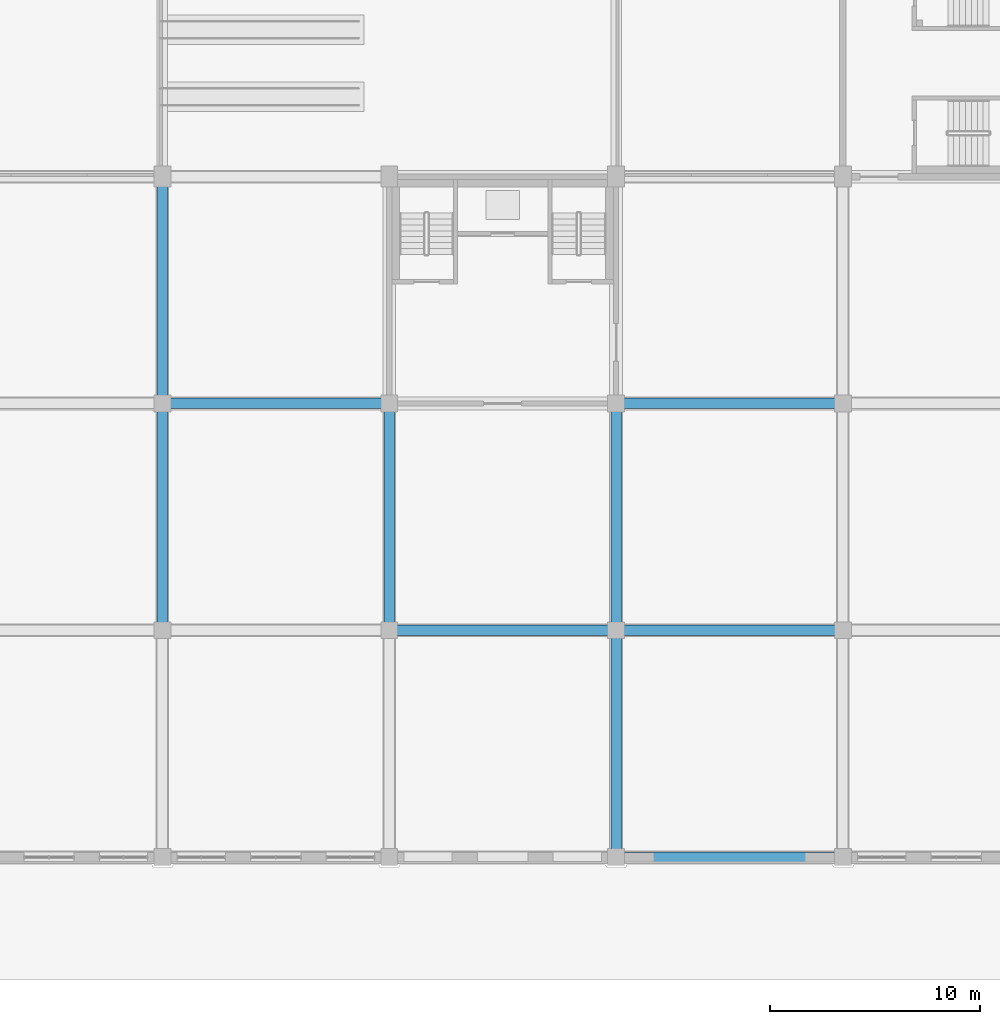
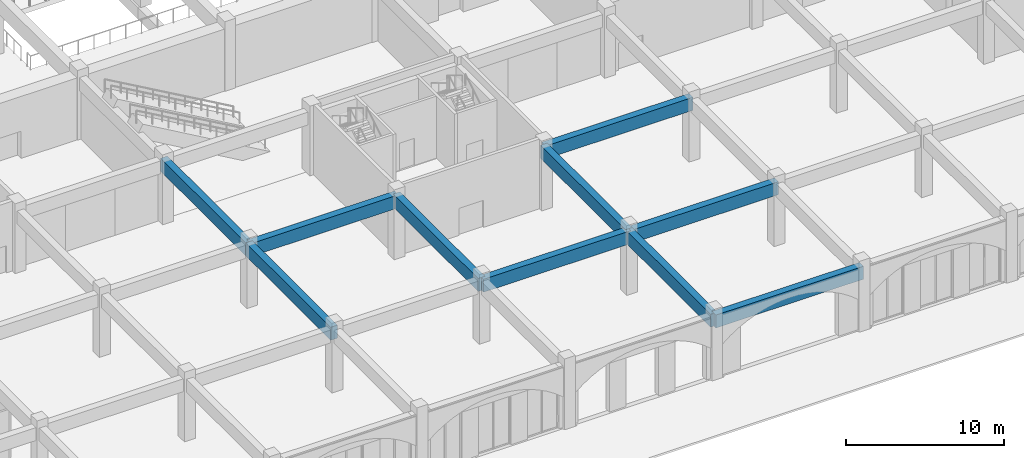
# One storey, part 14 of 101: 10 beams.
"""IFC4 building model written with IfcOpenShell, lengths in metres."""

from ifc_helpers import new_model, si_unit, direction, frame, origin, origin_2d, place, context, subcontext, project, spatial, rectangle, extrude, material, material_profile, profile_set, type_object, element, save


model = new_model("IFC4")

# Units and contexts
model_context = context("Model", 3, precision=1e-05, world=origin(), true_north=direction((0.0, 1.0)))
body_context = subcontext(model_context, "Body", "Model", "MODEL_VIEW")
ifc_project = project(units=[si_unit("LENGTHUNIT", "METRE"), si_unit("AREAUNIT", "SQUARE_METRE"), si_unit("VOLUMEUNIT", "CUBIC_METRE"), si_unit("PLANEANGLEUNIT", "RADIAN"), si_unit("MASSUNIT", "GRAM", prefix="KILO")], contexts=[model_context])

# Site, building, storey
site_placement = place(None, origin())
site = spatial("IfcSite", under=ifc_project, at=site_placement, CompositionType="ELEMENT")
building_placement = place(site_placement, origin())
building = spatial("IfcBuilding", under=site, at=building_placement, Name="Magnolia Steps Interchange", CompositionType="ELEMENT")
storey_placement = place(building_placement, frame((0.0, 0.0, -5.39990234375)))
storey = spatial("IfcBuildingStorey", under=building, at=storey_placement, Name="B1", CompositionType="ELEMENT", Elevation=-5.39990234375)

# Beams
ifc_material = material(Name="Concrete C40", Category="concrete")
ifc_material_profile = material_profile(ifc_material, rectangle(XDim=0.5, YDim=1.0, at=origin_2d()), Name="RC500x1000")
ifc_profile_set = profile_set([ifc_material_profile], Name="Concrete C40")
beam_type = type_object("IfcBeamType", Name="RC beam 500x1000", PredefinedType="BEAM", material=ifc_profile_set)
beam_1_placement = place(storey_placement, frame((96.39990234375, 10.0, 4.2998046875), z_axis=(1.0, 0.0, 0.0), x_axis=(0.0, 1.0, 0.0)))
element("IfcBeam", 1, at=beam_1_placement, inside=storey, type_object=beam_type, Name="Beam L00 A 9-10", PredefinedType="BEAM", context=body_context, shape_type="SweptSolid", body=[
    extrude(rectangle(XDim=0.5, YDim=1.0, at=origin_2d()), origin(), (0.0, 0.0, 1.0), 10.800048828125),
])
beam_2_placement = place(storey_placement, frame((85.60009765625, 20.800048828125, 4.2998046875), z_axis=(1.0, 0.0, 0.0), x_axis=(0.0, 1.0, 0.0)))
element("IfcBeam", 2, at=beam_2_placement, inside=storey, type_object=beam_type, Name="Beam L00 B 8-9", PredefinedType="BEAM", context=body_context, shape_type="SweptSolid", body=[
    extrude(rectangle(XDim=0.5, YDim=1.0, at=origin_2d()), origin(), (0.0, 0.0, 1.0), 10.7998046875),
])
for number, where, z_axis, x_axis, name in (
    (3, (96.39990234375, 20.800048828125, 4.2998046875), (1.0, 0.0, 0.0), (0.0, 1.0, 0.0), "Beam L00 B 9-10"),
    (4, (74.800048828125, 31.60009765625, 4.2998046875), (1.0, 0.0, 0.0), (0.0, 1.0, 0.0), "Beam L00 C 7-8"),
    (5, (96.39990234375, 31.60009765625, 4.2998046875), (1.0, 0.0, 0.0), (0.0, 1.0, 0.0), "Beam L00 C 9-10"),
    (6, (74.800048828125, 20.800048828125, 4.2998046875), (0.0, 1.0, 0.0), (-1.0, 0.0, 0.0), "Beam L00 7 B-C"),
):
    element("IfcBeam", number, at=place(storey_placement, frame(where, z_axis=z_axis, x_axis=x_axis)), inside=storey, type_object=beam_type, Name=name, PredefinedType="BEAM", context=body_context, shape_type="SweptSolid", body=[
        extrude(rectangle(XDim=0.5, YDim=1.0, at=origin_2d()), origin(), (0.0, 0.0, 1.0), 10.800048828125),
    ])
beam_3_placement = place(storey_placement, frame((74.800048828125, 31.60009765625, 4.2998046875), z_axis=(0.0, 1.0, 0.0), x_axis=(-1.0, 0.0, 0.0)))
element("IfcBeam", 7, at=beam_3_placement, inside=storey, type_object=beam_type, Name="Beam L00 7 C-D", PredefinedType="BEAM", context=body_context, shape_type="SweptSolid", body=[
    extrude(rectangle(XDim=0.5, YDim=1.0, at=origin_2d()), origin(), (0.0, 0.0, 1.0), 10.7998046875),
])
for number, where, z_axis, x_axis, name in (
    (8, (85.60009765625, 20.800048828125, 4.2998046875), (0.0, 1.0, 0.0), (-1.0, 0.0, 0.0), "Beam L00 8 B-C"),
    (9, (96.39990234375, 10.0, 4.2998046875), (0.0, 1.0, 0.0), (-1.0, 0.0, 0.0), "Beam L00 9 A-B"),
    (10, (96.39990234375, 20.800048828125, 4.2998046875), (0.0, 1.0, 0.0), (-1.0, 0.0, 0.0), "Beam L00 9 B-C"),
):
    element("IfcBeam", number, at=place(storey_placement, frame(where, z_axis=z_axis, x_axis=x_axis)), inside=storey, type_object=beam_type, Name=name, PredefinedType="BEAM", context=body_context, shape_type="SweptSolid", body=[
        extrude(rectangle(XDim=0.5, YDim=1.0, at=origin_2d()), origin(), (0.0, 0.0, 1.0), 10.800048828125),
    ])

save(model, "model.ifc")
